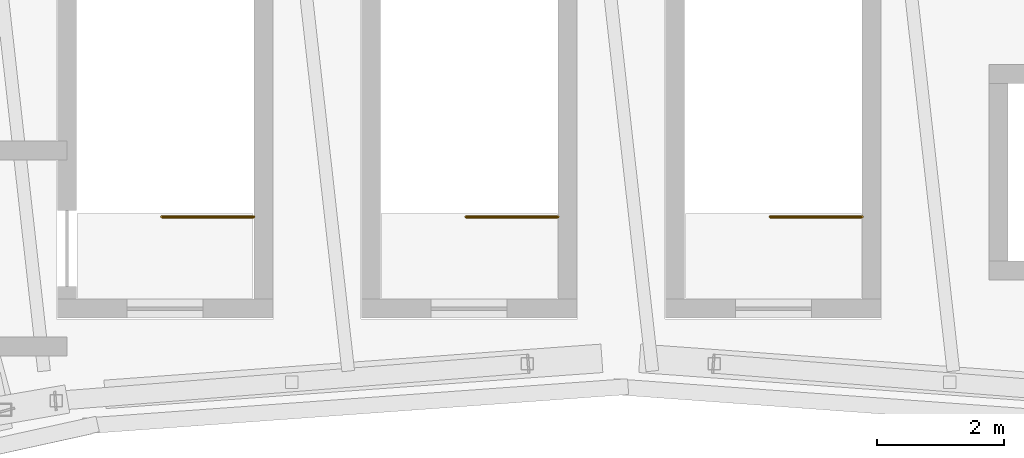
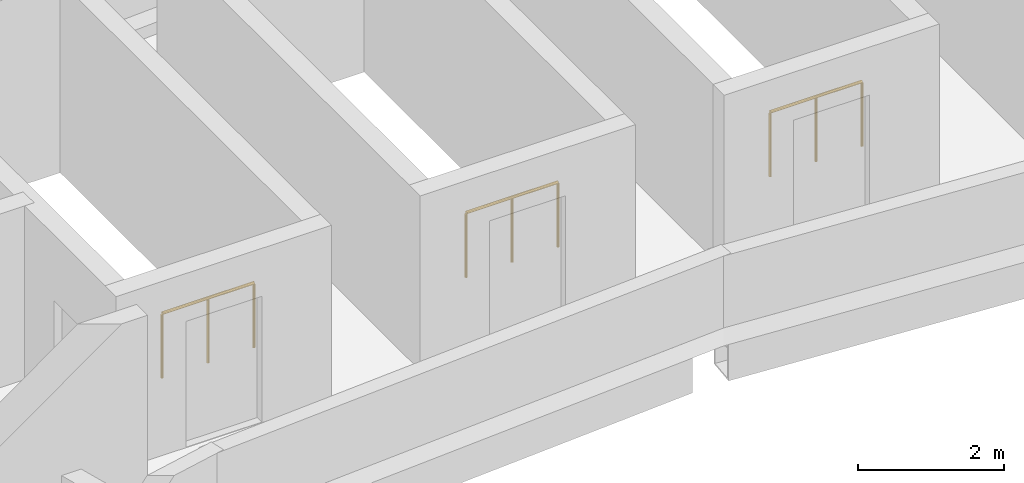
# One storey, part 5 of 6: 3 railings.
"""IFC4 building model written with IfcOpenShell, lengths in metres."""

from ifc_helpers import new_model, si_unit, direction, frame, origin, origin_2d, place, context, subcontext, project, spatial, circle, extrude, material, type_object, element, save


model = new_model("IFC4")

# Units and contexts
model_context = context("Model", 3, precision=1e-05, world=origin(), true_north=direction((0.0, 1.0)))
body_context = subcontext(model_context, "Body", "Model", "MODEL_VIEW")
ifc_project = project(units=[si_unit("LENGTHUNIT", "METRE"), si_unit("AREAUNIT", "SQUARE_METRE"), si_unit("VOLUMEUNIT", "CUBIC_METRE"), si_unit("PLANEANGLEUNIT", "RADIAN"), si_unit("MASSUNIT", "GRAM", prefix="KILO")], contexts=[model_context])

# Site, building, storey
site_placement = place(None, origin())
site = spatial("IfcSite", under=ifc_project, at=site_placement, CompositionType="ELEMENT")
building_placement = place(site_placement, origin())
building = spatial("IfcBuilding", under=site, at=building_placement, Name="Tuul Gate Civic Tower", CompositionType="ELEMENT")
storey_placement = place(building_placement, frame((0.0, 0.0, 384.10009765625)))
storey = spatial("IfcBuildingStorey", under=building, at=storey_placement, Name="Roof", CompositionType="ELEMENT", Elevation=384.10009765625)

# Railings
ifc_material = material(Name="Painted steel", Category="steel")
railing_type = type_object("IfcRailingType", Name="Stair guard", PredefinedType="GUARDRAIL", material=ifc_material)
for number, where, name in (
    (1, (-3.60009765625, 0.699951171875, 0.0), "Roof ST-5 top well guard 1"),
    (2, (1.199951171875, 0.699951171875, 0.0), "Roof ST-6 top well guard 1"),
    (3, (6.0, 0.699951171875, 0.0), "Roof ST-7 top well guard 1"),
):
    element("IfcRailing", number, at=place(storey_placement, frame(where)), inside=storey, type_object=railing_type, Name=name, PredefinedType="GUARDRAIL", context=body_context, shape_type="SweptSolid", body=[
        extrude(circle(Radius=0.02392578125, at=origin_2d()), frame((0.0, 0.0, 1.076171875), z_axis=(-1.0, 0.0, 0.0), x_axis=(0.0, -1.0, 0.0)), (0.0, 0.0, 1.0), 1.449951171875),
        extrude(circle(Radius=0.02099609375, at=origin_2d()), origin(), (0.0, 0.0, 1.0), 1.052001953125),
        extrude(circle(Radius=0.02099609375, at=origin_2d()), frame((-0.72509765625, 0.0, 0.0)), (0.0, 0.0, 1.0), 1.052001953125),
        extrude(circle(Radius=0.02099609375, at=origin_2d()), frame((-1.449951171875, 0.0, 0.0)), (0.0, 0.0, 1.0), 1.052001953125),
    ])

save(model, "model.ifc")
